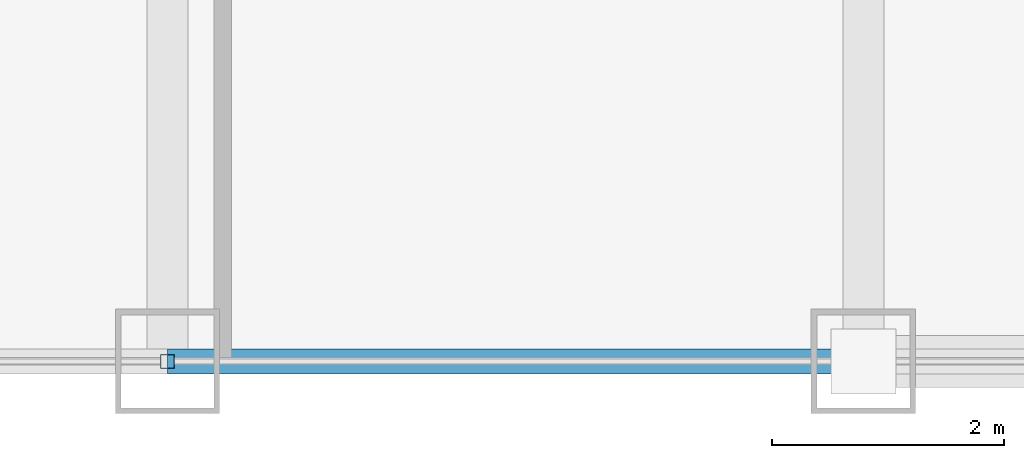
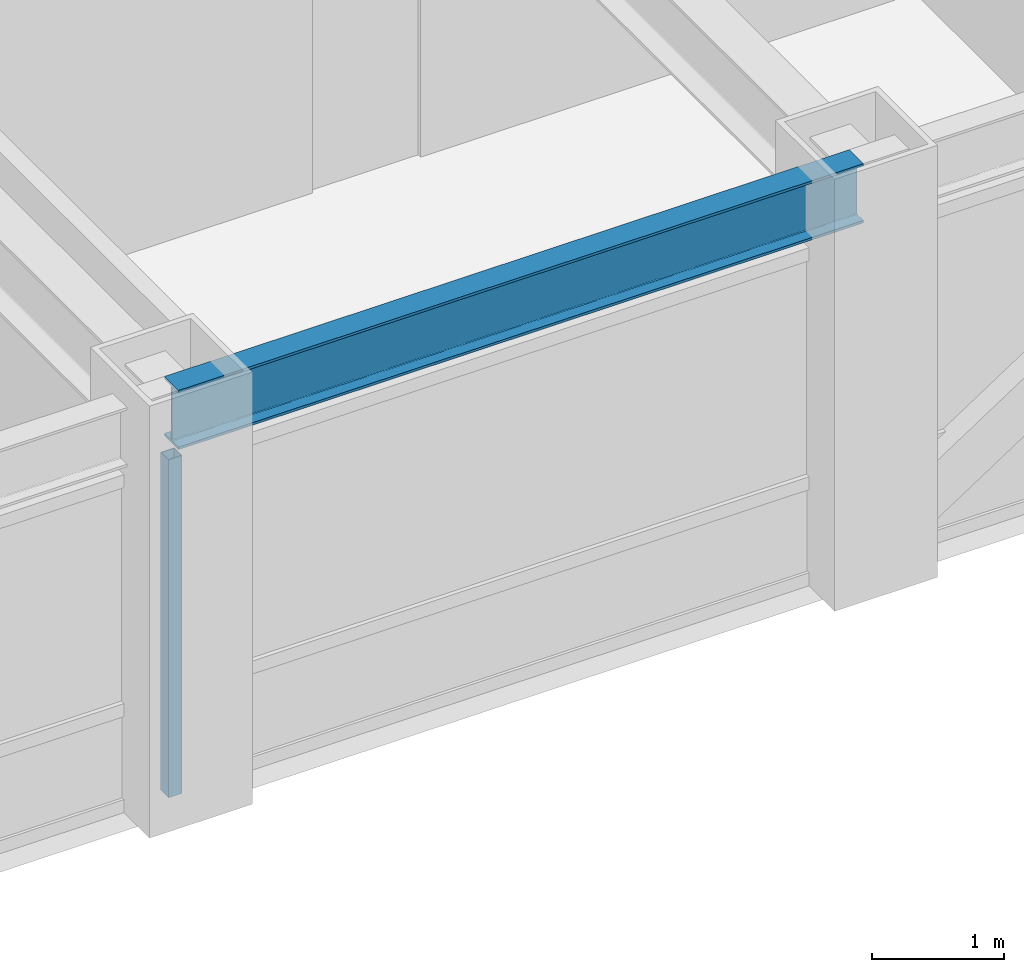
# One storey, part 4 of 22: 1 beam, 1 member, 1 element without a shape of its own.
"""IFC4 building model written with IfcOpenShell, lengths in metres."""

from ifc_helpers import new_model, si_unit, direction, frame, origin, origin_2d, place, context, subcontext, project, spatial, hollow_rectangle, i_section, extrude, source, transform, mapped, material, material_profile, profile_set, type_object, element, aggregate, save


model = new_model("IFC4")

# Units and contexts
model_context = context("Model", 3, precision=1e-05, world=origin(), true_north=direction((0.0, 1.0)))
body_context = subcontext(model_context, "Body", "Model", "MODEL_VIEW")
ifc_project = project(units=[si_unit("LENGTHUNIT", "METRE"), si_unit("AREAUNIT", "SQUARE_METRE"), si_unit("VOLUMEUNIT", "CUBIC_METRE"), si_unit("PLANEANGLEUNIT", "RADIAN"), si_unit("MASSUNIT", "GRAM", prefix="KILO")], contexts=[model_context])

# Site, building, storey
site_placement = place(None, origin())
site = spatial("IfcSite", under=ifc_project, at=site_placement, CompositionType="ELEMENT")
building_placement = place(site_placement, origin())
building = spatial("IfcBuilding", under=site, at=building_placement, Name="Khorayat Bourse Tower", CompositionType="ELEMENT")
storey_placement = place(building_placement, frame((0.0, 0.0, 293.5)))
storey = spatial("IfcBuildingStorey", under=building, at=storey_placement, Name="L69", CompositionType="ELEMENT", Elevation=293.5)

# Beam
ifc_material_1 = material(Name="Steel ASTM A992 Grade 50", Category="steel")
ifc_material_profile_1 = material_profile(ifc_material_1, i_section(OverallWidth=0.214111328125, OverallDepth=0.549072265625, WebThickness=0.0146484375, FlangeThickness=0.023681640625, FilletRadius=0.013916015625, at=origin_2d()), Name="W530X138")
ifc_profile_set_1 = profile_set([ifc_material_profile_1], Name="Steel ASTM A992 Grade 50")
beam_type = type_object("IfcBeamType", Name="BM-SPAN-530", PredefinedType="SPANDREL", material=ifc_profile_set_1)
shared_shape_1 = source(origin(), body_context, "Body", "SweptSolid", [
    extrude(i_section(OverallWidth=0.214111328125, OverallDepth=0.549072265625, WebThickness=0.0146484375, FlangeThickness=0.023681640625, FilletRadius=0.013916015625, at=origin_2d()), origin(), (0.0, 0.0, 1.0), 6.0),
])
beam_placement = place(storey_placement, frame((0.0, -28.0, 3.505615234375), z_axis=(1.0, 0.0, 0.0), x_axis=(0.0, 1.0, 0.0)))
element("IfcBeam", 1, at=beam_placement, inside=storey, type_object=beam_type, Name="L69 BM-SPAN-530 BM-L69-SPN-028", PredefinedType="SPANDREL", context=body_context, shape_type="MappedRepresentation", body=[
    mapped(shared_shape_1, transform((0.0, 0.0, 0.0), scale=1.0)),
])

# Curtain wall, member
ifc_material_2 = material(Name="Aluminium EN AW-6063 T6", Category="aluminium")
curtain_wall_type = type_object("IfcCurtainWallType", Name="CW-SYS-04", PredefinedType="NOTDEFINED", material=ifc_material_2)
curtain_wall_placement = place(storey_placement, origin())
curtain_wall = element("IfcCurtainWall", 2, at=curtain_wall_placement, inside=storey, type_object=curtain_wall_type, Name="L69 Curtain Wall CW-L69-S1", PredefinedType="NOTDEFINED")
ifc_material_profile_2 = material_profile(ifc_material_2, hollow_rectangle(XDim=0.1201171875, YDim=0.1201171875, WallThickness=0.0048828125, at=origin_2d()), Name="ALU 120x120x5")
ifc_profile_set_2 = profile_set([ifc_material_profile_2], Name="Aluminium EN AW-6063 T6")
member_type = type_object("IfcMemberType", Name="CWM-VERT-120", PredefinedType="MULLION", material=ifc_profile_set_2)
shared_shape_2 = source(origin(), body_context, "Body", "SweptSolid", [
    extrude(hollow_rectangle(XDim=0.1201171875, YDim=0.1201171875, WallThickness=0.0048828125, at=origin_2d()), origin(), (0.0, 0.0, 1.0), 3.1298828125),
])
member_placement = place(storey_placement, frame((0.0, -28.0, 0.0), z_axis=(0.0, 0.0, 1.0), x_axis=(0.0, 1.0, 0.0)))
member = element("IfcMember", 3, at=member_placement, type_object=member_type, Name="CW-L69-S1 Vertical Mullion 2", PredefinedType="MULLION", context=body_context, shape_type="MappedRepresentation", body=[
    mapped(shared_shape_2, transform((0.0, 0.0, 0.0), scale=1.0)),
])
aggregate(curtain_wall, [member])

save(model, "model.ifc")
